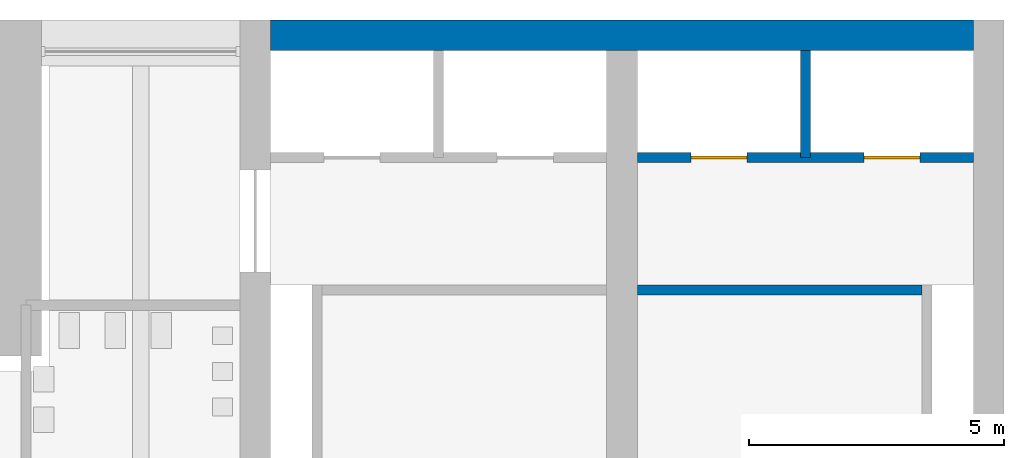
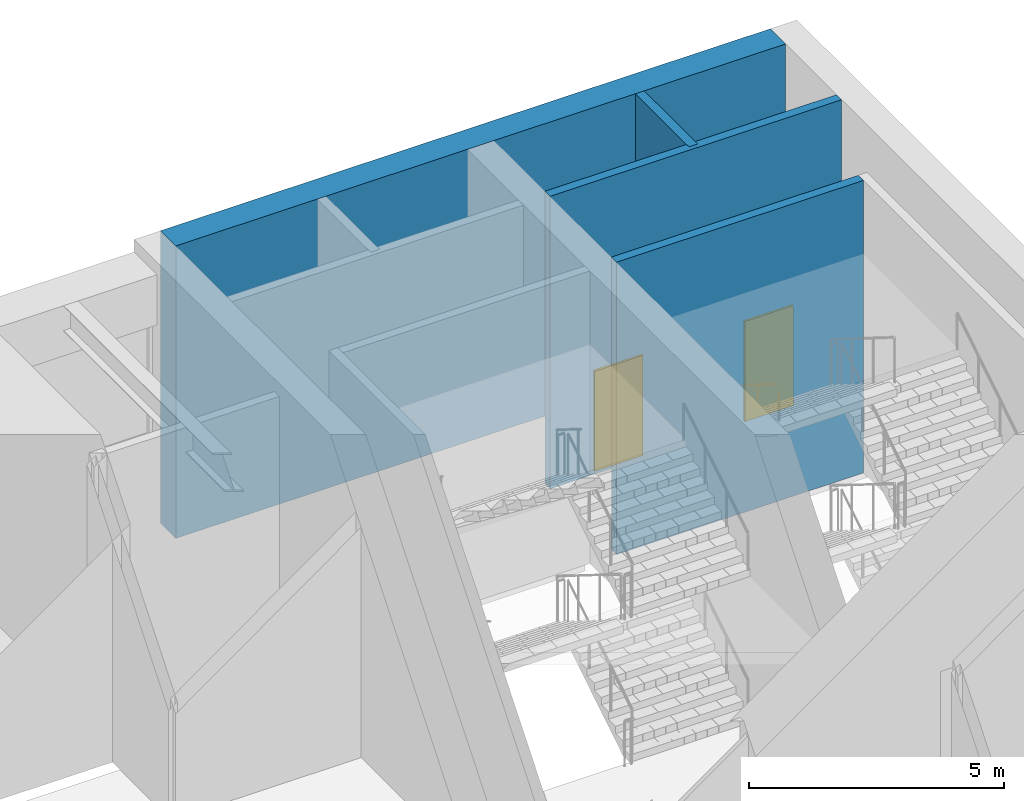
# One storey, part 40 of 62: 4 walls, 2 doors, 2 openings.
"""IFC4 building model written with IfcOpenShell, lengths in metres."""

from ifc_helpers import new_model, si_unit, direction, frame, frame_2d, origin, place, context, subcontext, project, spatial, rectangle, extrude, material, layer, layer_set, type_object, element, fill, save


model = new_model("IFC4")

# Units and contexts
model_context = context("Model", 3, precision=1e-05, world=origin(), true_north=direction((0.0, 1.0)))
body_context = subcontext(model_context, "Body", "Model", "MODEL_VIEW")
ifc_project = project(units=[si_unit("LENGTHUNIT", "METRE"), si_unit("AREAUNIT", "SQUARE_METRE"), si_unit("VOLUMEUNIT", "CUBIC_METRE"), si_unit("PLANEANGLEUNIT", "RADIAN"), si_unit("MASSUNIT", "GRAM", prefix="KILO")], contexts=[model_context])

# Site, building, storey
site_placement = place(None, origin())
site = spatial("IfcSite", under=ifc_project, at=site_placement, CompositionType="ELEMENT")
building_placement = place(site_placement, origin())
building = spatial("IfcBuilding", under=site, at=building_placement, Name="Corbelhall Arena Tower", CompositionType="ELEMENT")
storey_placement = place(building_placement, frame((0.0, 0.0, 12.0)))
storey = spatial("IfcBuildingStorey", under=building, at=storey_placement, Name="L01", CompositionType="ELEMENT", Elevation=12.0)

# Wall, openings, doors
ifc_material_1 = material(Name="Reinforced concrete C40/50", Category="concrete")
ifc_layer_1 = layer(ifc_material_1, 0.199951171875)
ifc_layer_set_1 = layer_set([ifc_layer_1], Name="AR-SHAFT-WALL")
wall_type_1 = type_object("IfcWallType", Name="AR-SHAFT-WALL", PredefinedType="SHEAR", material=ifc_layer_set_1)
wall_1_placement = place(storey_placement, frame((40.800048828125, 36.300048828125, 0.0), z_axis=(0.0, 0.0, 1.0), x_axis=(1.0, 0.0, 0.0)))
wall_1 = element("IfcWall", 1, at=wall_1_placement, inside=storey, type_object=wall_type_1, Name="Lift lobby wall NE", PredefinedType="SHEAR", context=body_context, shape_type="SweptSolid", body=[
    extrude(rectangle(XDim=6.599853515625, YDim=0.199951171875, at=frame_2d((3.2998046875, 0.0))), origin(), (0.0, 0.0, 1.0), 7.0),
])
opening_1_placement = place(wall_1_placement, frame((1.050048828125, 0.0, 0.0)))
opening_1 = element("IfcOpeningElement", 2, at=opening_1_placement, cuts=wall_1, Name="Opening LD0124", PredefinedType="OPENING", context=body_context, shape_type="SweptSolid", body=[
    extrude(rectangle(XDim=1.10009765625, YDim=2.39990234375, at=frame_2d((0.550048828125, 1.199951171875))), frame((0.0, 0.10009765625, 0.0), z_axis=(0.0, -1.0, 0.0), x_axis=(1.0, 0.0, 0.0)), (0.0, 0.0, 1.0), 0.199951171875),
])
opening_2_placement = place(wall_1_placement, frame((4.449951171875, 0.0, 0.0)))
opening_2 = element("IfcOpeningElement", 3, at=opening_2_placement, cuts=wall_1, Name="Opening LD0125", PredefinedType="OPENING", context=body_context, shape_type="SweptSolid", body=[
    extrude(rectangle(XDim=1.10009765625, YDim=2.39990234375, at=frame_2d((0.550048828125, 1.199951171875))), frame((0.0, 0.10009765625, 0.0), z_axis=(0.0, -1.0, 0.0), x_axis=(1.0, 0.0, 0.0)), (0.0, 0.0, 1.0), 0.199951171875),
])
ifc_material_2 = material(Name="Stainless steel A4", Category="steel")
door_type = type_object("IfcDoorType", Name="AR-LANDING-DOOR", OperationType="DOUBLE_DOOR_SLIDING", PredefinedType="DOOR", material=ifc_material_2)
door_1_placement = place(opening_1_placement, origin())
door_1 = element("IfcDoor", 4, at=door_1_placement, inside=storey, type_object=door_type, Name="Landing door NE LF3 L01", OperationType="DOUBLE_DOOR_SLIDING", OverallHeight=2.39990234375, OverallWidth=1.10009765625, PredefinedType="DOOR", context=body_context, shape_type="SweptSolid", body=[
    extrude(rectangle(XDim=1.10009765625, YDim=2.39990234375, at=frame_2d((0.550048828125, 1.199951171875))), frame((0.0, 0.02490234375, 0.0), z_axis=(0.0, -1.0, 0.0), x_axis=(1.0, 0.0, 0.0)), (0.0, 0.0, 1.0), 0.050048828125),
])
fill(opening_1, door_1)
door_2_placement = place(opening_2_placement, origin())
door_2 = element("IfcDoor", 5, at=door_2_placement, inside=storey, type_object=door_type, Name="Landing door NE LF4 L01", OperationType="DOUBLE_DOOR_SLIDING", OverallHeight=2.39990234375, OverallWidth=1.10009765625, PredefinedType="DOOR", context=body_context, shape_type="SweptSolid", body=[
    extrude(rectangle(XDim=1.10009765625, YDim=2.39990234375, at=frame_2d((0.550048828125, 1.199951171875))), frame((0.0, 0.02490234375, 0.0), z_axis=(0.0, -1.0, 0.0), x_axis=(1.0, 0.0, 0.0)), (0.0, 0.0, 1.0), 0.050048828125),
])
fill(opening_2, door_2)

# Walls
wall_2_placement = place(storey_placement, frame((44.10009765625, 36.300048828125, 0.0), z_axis=(0.0, 0.0, 1.0), x_axis=(0.0, 1.0, 0.0)))
element("IfcWall", 6, at=wall_2_placement, inside=storey, type_object=wall_type_1, Name="Shaft wall NE", PredefinedType="SHEAR", context=body_context, shape_type="SweptSolid", body=[
    extrude(rectangle(XDim=2.099853515625, YDim=0.199951171875, at=frame_2d((1.0498046875, 0.0))), origin(), (0.0, 0.0, 1.0), 7.0),
])
ifc_layer_2 = layer(ifc_material_1, 0.199951171875)
ifc_layer_set_2 = layer_set([ifc_layer_2], Name="AR-STAIR-WALL")
wall_type_2 = type_object("IfcWallType", Name="AR-STAIR-WALL", PredefinedType="SOLIDWALL", material=ifc_layer_set_2)
wall_3_placement = place(storey_placement, frame((40.800048828125, 33.699951171875, 0.0), z_axis=(0.0, 0.0, 1.0), x_axis=(1.0, 0.0, 0.0)))
element("IfcWall", 7, at=wall_3_placement, inside=storey, type_object=wall_type_2, Name="Stair AS2 wall", PredefinedType="SOLIDWALL", context=body_context, shape_type="SweptSolid", body=[
    extrude(rectangle(XDim=5.58984375, YDim=0.199951171875, at=frame_2d((2.794921875, 0.0))), origin(), (0.0, 0.0, 1.0), 7.0),
])
ifc_material_3 = material(Name="Concrete C80/95", Category="concrete")
ifc_layer_3 = layer(ifc_material_3, 0.60009765625)
ifc_layer_set_3 = layer_set([ifc_layer_3], Name="PO-CORE-WALL")
wall_type_3 = type_object("IfcWallType", Name="PO-CORE-WALL", PredefinedType="SHEAR", material=ifc_layer_set_3)
wall_4_placement = place(storey_placement, frame((33.60009765625, 38.699951171875, 0.0), z_axis=(0.0, 0.0, 1.0), x_axis=(1.0, 0.0, 0.0)))
element("IfcWall", 8, at=wall_4_placement, inside=storey, type_object=wall_type_3, Name="CORE NE WALL N L01", PredefinedType="SHEAR", context=body_context, shape_type="SweptSolid", body=[
    extrude(rectangle(XDim=13.7998046875, YDim=0.60009765625, at=frame_2d((6.89990234375, 0.0))), origin(), (0.0, 0.0, 1.0), 7.0),
])

save(model, "model.ifc")
